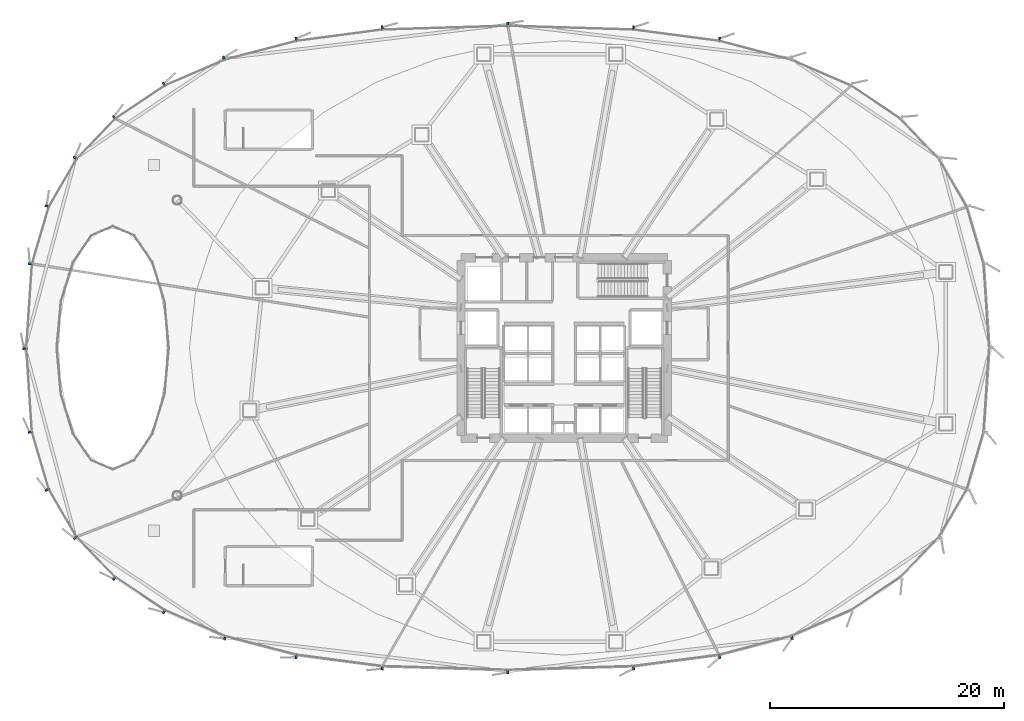
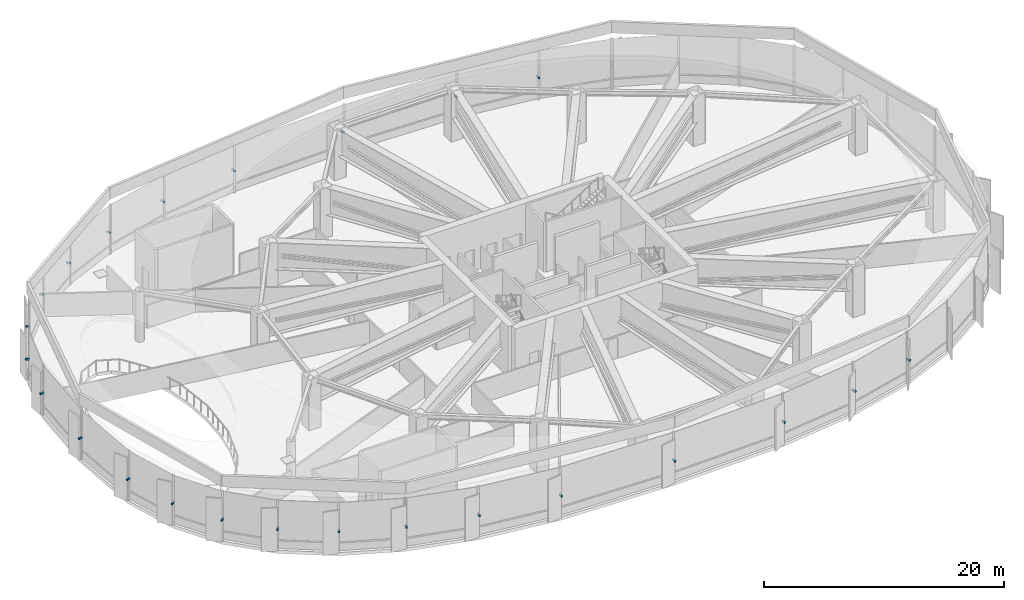
# One storey, part 30 of 36: 24 discrete accessories.
"""IFC4 building model written with IfcOpenShell, lengths in metres."""

from ifc_helpers import new_model, si_unit, direction, frame, origin, origin_2d, place, context, subcontext, project, spatial, rectangle, extrude, source, transform, mapped, material, type_object, element, save


model = new_model("IFC4")

# Units and contexts
model_context = context("Model", 3, precision=1e-05, world=origin(), true_north=direction((0.0, 1.0)))
body_context = subcontext(model_context, "Body", "Model", "MODEL_VIEW")
ifc_project = project(units=[si_unit("LENGTHUNIT", "METRE"), si_unit("AREAUNIT", "SQUARE_METRE"), si_unit("VOLUMEUNIT", "CUBIC_METRE"), si_unit("PLANEANGLEUNIT", "RADIAN"), si_unit("MASSUNIT", "GRAM", prefix="KILO"), si_unit("THERMODYNAMICTEMPERATUREUNIT", "KELVIN")], contexts=[model_context])

# Site, building, storey
site_placement = place(None, origin())
site = spatial("IfcSite", under=ifc_project, at=site_placement, CompositionType="ELEMENT")
building_placement = place(site_placement, origin())
building = spatial("IfcBuilding", under=site, at=building_placement, Name="Kethvar Cultural Tower", CompositionType="ELEMENT")
storey_placement = place(building_placement, frame((0.0, 0.0, 24.0)))
storey = spatial("IfcBuildingStorey", under=building, at=storey_placement, Name="L05", CompositionType="ELEMENT", Elevation=24.0)

# Discrete accessories
ifc_material = material(Name="Steel S355J2", Category="steel")
discrete_accessory_type = type_object("IfcDiscreteAccessoryType", Name="Steel Fin Bracket BRK-01", PredefinedType="BRACKET", material=ifc_material)
shared_shape = source(origin(), body_context, "Body", "SweptSolid", [
    extrude(rectangle(XDim=0.3798828125, YDim=0.159912109375, at=origin_2d()), origin(), (0.0, 0.0, 1.0), 0.179931640625),
])
for number, where, z_axis, x_axis, name in (
    (1, (60.05126953125, 54.120361328125, 2.1298828125), (0.0, 0.0, 1.0), (0.130699230003, 0.991422065155, 0.0), "L05 Terracotta Fin Bracket 2.2"),
    (2, (52.71630859375, 55.0869140625, 2.1298828125), (0.0, 0.0, 1.0), (0.030189608314, 0.999544189894, 0.0), "L05 Terracotta Fin Bracket 2.3"),
    (3, (41.999755859375, 55.409912109375, 2.1298828125), (0.0, 0.0, 1.0), (-0.030189608314, 0.999544189894, 0.0), "L05 Terracotta Fin Bracket 2.4"),
    (4, (31.28271484375, 55.0869140625, 2.1298828125), (0.0, 0.0, 1.0), (-0.130699230003, 0.991422065155, 0.0), "L05 Terracotta Fin Bracket 2.5"),
    (5, (23.947509765625, 54.1201171875, 2.1298828125), (0.0, 0.0, 1.0), (-0.253082602519, 0.96744467351, 0.0), "L05 Terracotta Fin Bracket 2.6"),
    (6, (17.778076171875, 52.498779296875, 2.1298828125), (0.0, 0.0, 1.0), (-0.396346847517, 0.9181008531, 0.0), "L05 Terracotta Fin Bracket 3.1"),
    (7, (12.668212890625, 50.292236328125, 2.1298828125), (0.0, 0.0, 1.0), (-0.556585649903, 0.83079023485, 0.0), "L05 Terracotta Fin Bracket 3.2"),
    (8, (8.4296875, 47.452880859375, 2.1298828125), (0.0, 0.0, 1.0), (-0.72055111168, 0.693401828276, 0.0), "L05 Terracotta Fin Bracket 3.3"),
    (9, (5.106689453125, 43.998779296875, 2.1298828125), (0.0, 0.0, 1.0), (-0.864011302865, 0.503472410885, 0.0), "L05 Terracotta Fin Bracket 3.4"),
    (10, (2.71533203125, 39.89453125, 2.1298828125), (0.0, 0.0, 1.0), (-0.959510852267, 0.281671660596, 0.0), "L05 Terracotta Fin Bracket 3.5"),
    (11, (1.272216796875, 34.979248046875, 2.1298828125), (0.0, 0.0, 1.0), (-0.997754957227, 0.066970481029, 0.0), "L05 Terracotta Fin Bracket 3.6"),
    (12, (0.793212890625, 27.750732421875, 2.1298828125), (0.0, 0.0, 1.0), (-0.997754957227, -0.066970481029, 0.0), "L05 Terracotta Fin Bracket 4.1"),
    (13, (1.272705078125, 20.61865234375, 2.1298828125), (0.0, 0.0, 1.0), (-0.959510852267, -0.281671660596, 0.0), "L05 Terracotta Fin Bracket 4.2"),
    (14, (2.71630859375, 15.703369140625, 2.1298828125), (0.0, 0.0, 1.0), (-0.864011302865, -0.503472410885, 0.0), "L05 Terracotta Fin Bracket 4.3"),
    (15, (5.1083984375, 11.59912109375, 2.1298828125), (0.0, 0.0, 1.0), (-0.72055111168, -0.693401828276, 0.0), "L05 Terracotta Fin Bracket 4.4"),
    (16, (8.431396484375, 8.14599609375, 2.1298828125), (0.0, 0.0, 1.0), (-0.556585649903, -0.83079023485, 0.0), "L05 Terracotta Fin Bracket 4.5"),
    (17, (12.669677734375, 5.306884765625, 2.1298828125), (0.0, 0.0, 1.0), (-0.396346847517, -0.9181008531, 0.0), "L05 Terracotta Fin Bracket 4.6"),
    (18, (17.871337890625, 3.069091796875, 2.1298828125), (0.0, 0.0, 1.0), (-0.253082602519, -0.96744467351, 0.0), "L05 Terracotta Fin Bracket 5.1"),
    (19, (23.94873046875, 1.4794921875, 2.1298828125), (0.0, 0.0, 1.0), (-0.130699230003, -0.991422065155, 0.0), "L05 Terracotta Fin Bracket 5.2"),
    (20, (31.28369140625, 0.51318359375, 2.1298828125), (0.0, 0.0, 1.0), (-0.030189608314, -0.999544189894, 0.0), "L05 Terracotta Fin Bracket 5.3"),
    (21, (42.000244140625, 0.18994140625, 2.1298828125), (0.0, 0.0, 1.0), (0.030189608314, -0.999544189894, 0.0), "L05 Terracotta Fin Bracket 5.4"),
    (22, (52.71728515625, 0.51318359375, 2.1298828125), (0.0, 0.0, 1.0), (0.130699230003, -0.991422065155, 0.0), "L05 Terracotta Fin Bracket 5.5"),
    (23, (60.052490234375, 1.47998046875, 2.1298828125), (0.0, 0.0, 1.0), (0.253082602519, -0.96744467351, 0.0), "L05 Terracotta Fin Bracket 5.6"),
    (24, (66.221923828125, 3.101318359375, 2.1298828125), (0.0, 0.0, 1.0), (0.396346847517, -0.9181008531, 0.0), "L05 Terracotta Fin Bracket 6.1"),
):
    element("IfcDiscreteAccessory", number, at=place(storey_placement, frame(where, z_axis=z_axis, x_axis=x_axis)), inside=storey, type_object=discrete_accessory_type, Name=name, PredefinedType="BRACKET", context=body_context, shape_type="MappedRepresentation", body=[
        mapped(shared_shape, transform((0.0, 0.0, 0.0), scale=1.0)),
    ])

save(model, "model.ifc")
